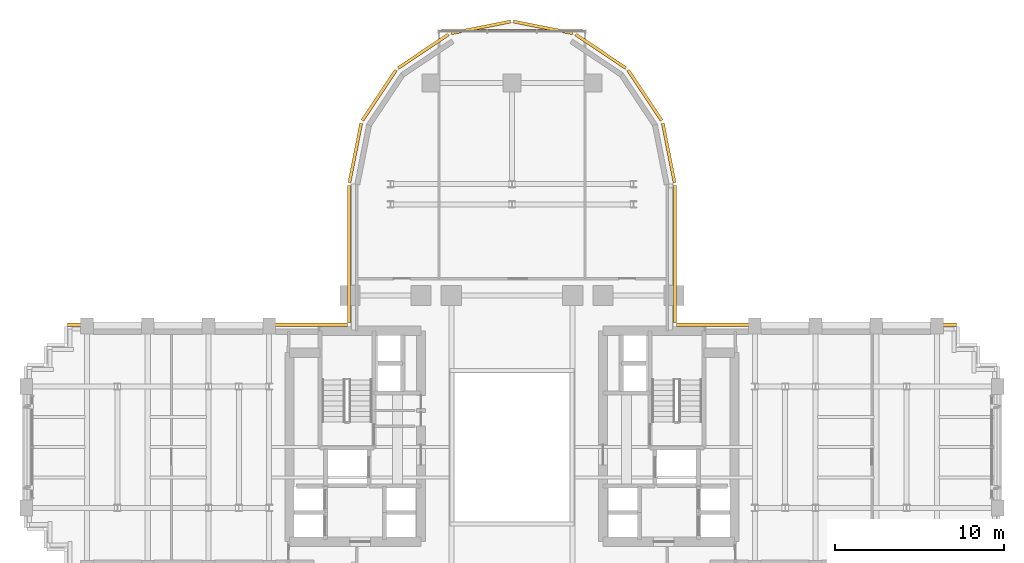
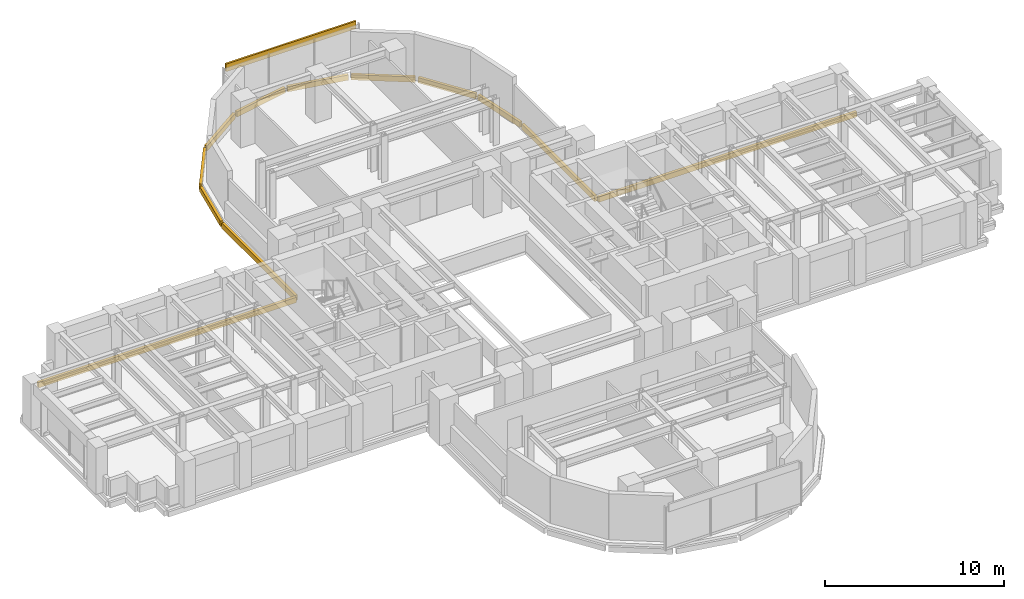
# One storey, part 16 of 16: 13 coverings.
"""IFC4 building model written with IfcOpenShell, lengths in metres."""

from ifc_helpers import new_model, si_unit, direction, frame, origin, origin_2d, place, context, subcontext, project, spatial, rectangle, extrude, source, transform, mapped, material, layer, layer_set, type_object, element, save


model = new_model("IFC4")

# Units and contexts
model_context = context("Model", 3, precision=1e-05, world=origin(), true_north=direction((0.0, 1.0)))
body_context = subcontext(model_context, "Body", "Model", "MODEL_VIEW")
ifc_project = project(units=[si_unit("LENGTHUNIT", "METRE"), si_unit("AREAUNIT", "SQUARE_METRE"), si_unit("VOLUMEUNIT", "CUBIC_METRE"), si_unit("PLANEANGLEUNIT", "RADIAN"), si_unit("MASSUNIT", "GRAM", prefix="KILO")], contexts=[model_context])

# Site, building, storey
site_placement = place(None, origin())
site = spatial("IfcSite", under=ifc_project, at=site_placement, CompositionType="ELEMENT")
building_placement = place(site_placement, origin())
building = spatial("IfcBuilding", under=site, at=building_placement, Name="Keilestroom Media Tower", CompositionType="ELEMENT")
storey_placement = place(building_placement, frame((0.0, 0.0, 85.0)))
storey = spatial("IfcBuildingStorey", under=building, at=storey_placement, Name="L22", CompositionType="ELEMENT", Elevation=85.0)

# Coverings
ifc_material = material(Name="Precast concrete C40/50", Category="concrete")
ifc_layer = layer(ifc_material, 0.1201171875)
ifc_layer_set = layer_set([ifc_layer], Name="Precast concrete C40/50")
covering_type = type_object("IfcCoveringType", Name="Exterior-Precast-Spandrel-Cladding-Panel-120", PredefinedType="CLADDING", material=ifc_layer_set)
shared_shape_1 = source(origin(), body_context, "Body", "SweptSolid", [
    extrude(rectangle(XDim=8.39990234375, YDim=0.1201171875, at=origin_2d()), origin(), (0.0, 0.0, 1.0), 0.52001953125),
])
covering_placement = place(storey_placement, frame((0.0, 24.719970703125, 2.6298828125), z_axis=(0.0, 0.0, 1.0), x_axis=(1.0, 0.0, 0.0)))
element("IfcCovering", 1, at=covering_placement, inside=storey, type_object=covering_type, Name="L22 Precast Spandrel Cladding N", PredefinedType="CLADDING", context=body_context, shape_type="MappedRepresentation", body=[
    mapped(shared_shape_1, transform((0.0, 0.0, 0.0), x_axis=(1.0, 0.0, 0.0), y_axis=(0.0, 1.0, 0.0), z_axis=(0.0, 0.0, 1.0), scale=1.0)),
])
shared_shape_2 = source(origin(), body_context, "Body", "SweptSolid", [
    extrude(rectangle(XDim=16.6201171875, YDim=0.179931640625, at=origin_2d()), origin(), (0.0, 0.0, 1.0), 0.360107421875),
])
for number, where, z_axis, x_axis, name in (
    (2, (-18.06005859375, 7.260009765625, -0.5400390625), (0.0, 0.0, 1.0), (1.0, 0.0, 0.0), "L22 Precast Slab-Edge Fascia Cornice 26"),
    (3, (18.06005859375, 7.260009765625, -0.5400390625), (0.0, 0.0, 1.0), (1.0, 0.0, 0.0), "L22 Precast Slab-Edge Fascia Cornice 37"),
):
    element("IfcCovering", number, at=place(storey_placement, frame(where, z_axis=z_axis, x_axis=x_axis)), inside=storey, type_object=covering_type, Name=name, PredefinedType="CLADDING", context=body_context, shape_type="MappedRepresentation", body=[
        mapped(shared_shape_2, transform((0.0, 0.0, 0.0), x_axis=(1.0, 0.0, 0.0), y_axis=(0.0, 1.0, 0.0), z_axis=(0.0, 0.0, 1.0), scale=1.0)),
    ])
shared_shape_3 = source(origin(), body_context, "Body", "SweptSolid", [
    extrude(rectangle(XDim=8.166015625, YDim=0.179931640625, at=origin_2d()), origin(), (0.0, 0.0, 1.0), 0.360107421875),
])
for number, where, z_axis, x_axis, name in (
    (4, (-9.659912109375, 11.43310546875, -0.5400390625), (0.0, 0.0, 1.0), (0.0, 1.0, 0.0), "L22 Precast Slab-Edge Fascia Cornice 27"),
    (5, (9.659912109375, 11.43310546875, -0.5400390625), (0.0, 0.0, 1.0), (0.0, -1.0, 0.0), "L22 Precast Slab-Edge Fascia Cornice 36"),
):
    element("IfcCovering", number, at=place(storey_placement, frame(where, z_axis=z_axis, x_axis=x_axis)), inside=storey, type_object=covering_type, Name=name, PredefinedType="CLADDING", context=body_context, shape_type="MappedRepresentation", body=[
        mapped(shared_shape_3, transform((0.0, 0.0, 0.0), x_axis=(1.0, 0.0, 0.0), y_axis=(0.0, 1.0, 0.0), z_axis=(0.0, 0.0, 1.0), scale=1.0)),
    ])
shared_shape_4 = source(origin(), body_context, "Body", "SweptSolid", [
    extrude(rectangle(XDim=3.58349609375, YDim=0.179931640625, at=origin_2d()), origin(), (0.0, 0.0, 1.0), 0.360107421875),
])
for number, where, z_axis, x_axis, name in (
    (6, (-9.29296875, 17.45166015625, -0.5400390625), (0.0, 0.0, 1.0), (0.195098880975, 0.980783577882, 0.0), "L22 Precast Slab-Edge Fascia Cornice 28"),
    (7, (9.29296875, 17.45166015625, -0.5400390625), (0.0, 0.0, 1.0), (0.195098880975, -0.980783577882, 0.0), "L22 Precast Slab-Edge Fascia Cornice 35"),
):
    element("IfcCovering", number, at=place(storey_placement, frame(where, z_axis=z_axis, x_axis=x_axis)), inside=storey, type_object=covering_type, Name=name, PredefinedType="CLADDING", context=body_context, shape_type="MappedRepresentation", body=[
        mapped(shared_shape_4, transform((0.0, 0.0, 0.0), x_axis=(1.0, 0.0, 0.0), y_axis=(0.0, 1.0, 0.0), z_axis=(0.0, 0.0, 1.0), scale=1.0)),
    ])
shared_shape_5 = source(origin(), body_context, "Body", "SweptSolid", [
    extrude(rectangle(XDim=3.589599609375, YDim=0.179931640625, at=origin_2d()), origin(), (0.0, 0.0, 1.0), 0.360107421875),
])
for number, where, z_axis, x_axis, name in (
    (8, (-7.878662109375, 20.8642578125, -0.5400390625), (0.0, 0.0, 1.0), (0.555574586577, 0.831466703332, 0.0), "L22 Precast Slab-Edge Fascia Cornice 29"),
    (9, (-5.264404296875, 23.478515625, -0.5400390625), (0.0, 0.0, 1.0), (0.831466703332, 0.555574586577, 0.0), "L22 Precast Slab-Edge Fascia Cornice 30"),
    (10, (-1.8486328125, 24.893310546875, -0.5400390625), (0.0, 0.0, 1.0), (0.980783577882, 0.195098880975, 0.0), "L22 Precast Slab-Edge Fascia Cornice 31"),
    (11, (1.8486328125, 24.893310546875, -0.5400390625), (0.0, 0.0, 1.0), (0.980783577882, -0.195098880975, 0.0), "L22 Precast Slab-Edge Fascia Cornice 32"),
    (12, (5.264404296875, 23.478515625, -0.5400390625), (0.0, 0.0, 1.0), (0.831466703332, -0.555574586577, 0.0), "L22 Precast Slab-Edge Fascia Cornice 33"),
    (13, (7.878662109375, 20.8642578125, -0.5400390625), (0.0, 0.0, 1.0), (0.555574586577, -0.831466703332, 0.0), "L22 Precast Slab-Edge Fascia Cornice 34"),
):
    element("IfcCovering", number, at=place(storey_placement, frame(where, z_axis=z_axis, x_axis=x_axis)), inside=storey, type_object=covering_type, Name=name, PredefinedType="CLADDING", context=body_context, shape_type="MappedRepresentation", body=[
        mapped(shared_shape_5, transform((0.0, 0.0, 0.0), x_axis=(1.0, 0.0, 0.0), y_axis=(0.0, 1.0, 0.0), z_axis=(0.0, 0.0, 1.0), scale=1.0)),
    ])

save(model, "model.ifc")
